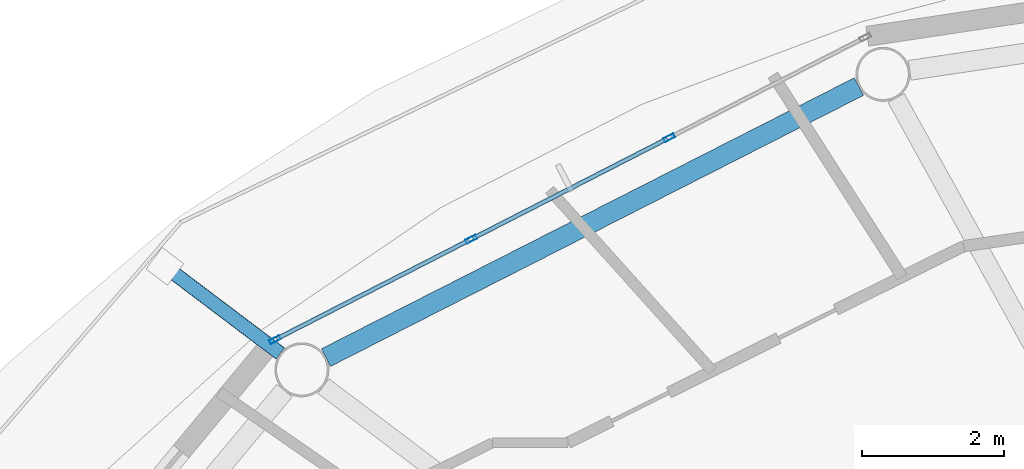
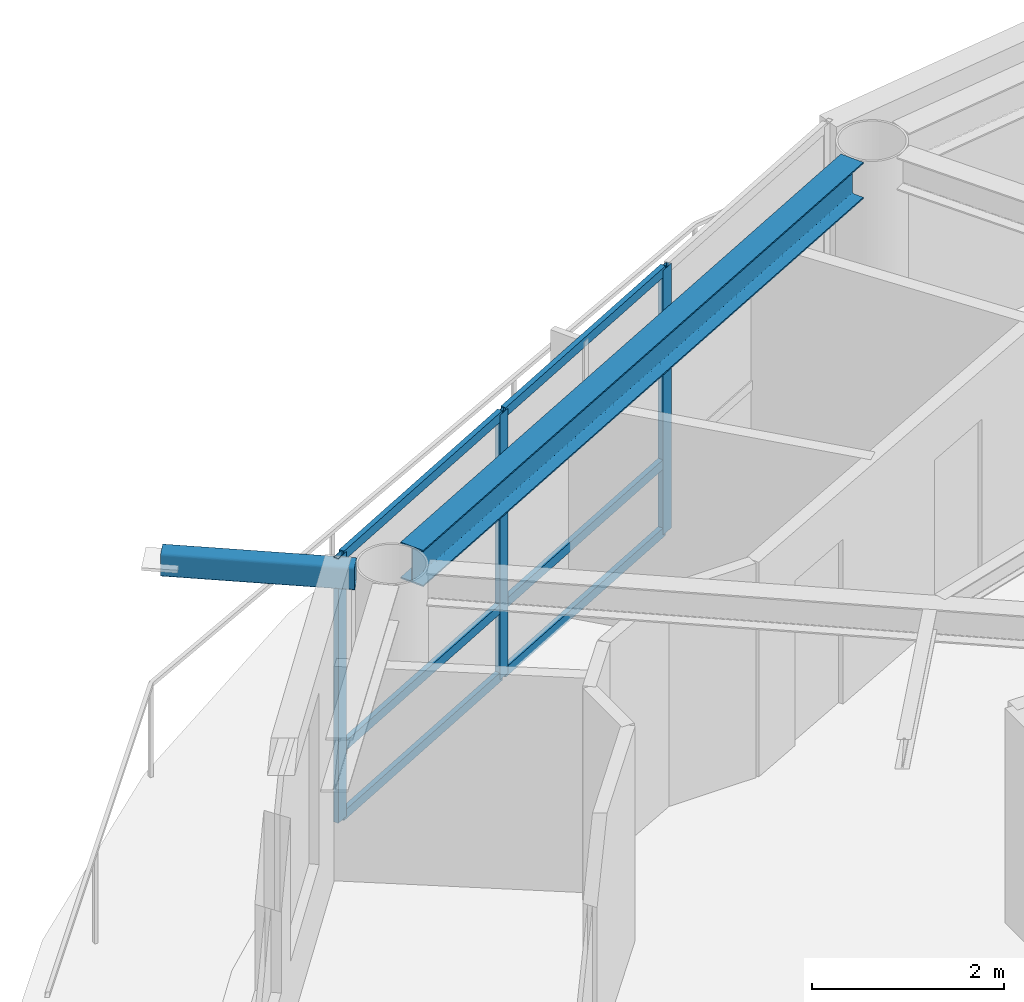
# One storey, part 8 of 22: 10 members, 1 beam, 1 element without a shape of its own.
"""IFC4 building model written with IfcOpenShell, lengths in metres."""

from ifc_helpers import new_model, si_unit, direction, frame, origin, origin_2d, place, context, subcontext, project, spatial, hollow_rectangle, i_section, extrude, material, layer, layer_set, material_profile, profile_set, type_object, element, aggregate, save


model = new_model("IFC4")

# Units and contexts
model_context = context("Model", 3, precision=1e-05, world=origin(), true_north=direction((0.0, 1.0)))
body_context = subcontext(model_context, "Body", "Model", "MODEL_VIEW")
ifc_project = project(units=[si_unit("LENGTHUNIT", "METRE"), si_unit("AREAUNIT", "SQUARE_METRE"), si_unit("VOLUMEUNIT", "CUBIC_METRE"), si_unit("PLANEANGLEUNIT", "RADIAN"), si_unit("MASSUNIT", "GRAM", prefix="KILO")], contexts=[model_context])

# Site, building, storey
site_placement = place(None, origin())
site = spatial("IfcSite", under=ifc_project, at=site_placement, CompositionType="ELEMENT")
building_placement = place(site_placement, origin())
building = spatial("IfcBuilding", under=site, at=building_placement, Name="Sarneth Arch Tower", CompositionType="ELEMENT")
storey_placement = place(building_placement, frame((0.0, 0.0, 287.39990234375)))
storey = spatial("IfcBuildingStorey", under=building, at=storey_placement, Name="L74", CompositionType="ELEMENT", Elevation=287.39990234375)

# Beam
ifc_material_1 = material(Name="Steel S355", Category="steel")
ifc_material_profile_1 = material_profile(ifc_material_1, i_section(OverallWidth=0.280029296875, OverallDepth=0.462890625, WebThickness=0.0107421875, FlangeThickness=0.017333984375, FilletRadius=0.01806640625, at=origin_2d()), Name="W460x113")
ifc_profile_set_1 = profile_set([ifc_material_profile_1], Name="Steel S355")
beam_type = type_object("IfcBeamType", Name="BM-RAD-460A", PredefinedType="BEAM", material=ifc_profile_set_1)
beam_placement = place(storey_placement, frame((37.86962890625, 59.565673828125, 3.138671875), z_axis=(-0.891373613492, -0.453269325204, 0.0), x_axis=(0.453269325204, -0.891373613492, 0.0)))
element("IfcBeam", 1, at=beam_placement, inside=storey, type_object=beam_type, Name="L74 Perimeter spandrel beam 06", PredefinedType="BEAM", context=body_context, shape_type="SweptSolid", body=[
    extrude(i_section(OverallWidth=0.280029296875, OverallDepth=0.462890625, WebThickness=0.0107421875, FlangeThickness=0.017333984375, FilletRadius=0.01806640625, at=origin_2d()), origin(), (0.0, 0.0, 1.0), 8.419677734375),
])

# Curtain wall, members
ifc_material_2 = material(Name="Anodised aluminium Type AA25 and solar-control low-e laminated IGU", Category="aluminium")
ifc_layer = layer(ifc_material_2, 0.179931640625)
ifc_layer_set = layer_set([ifc_layer], Name="Anodised aluminium Type AA25 and solar-control low-e laminated IGU")
curtain_wall_type = type_object("IfcCurtainWallType", Name="CW-RES-HIGH", PredefinedType="NOTDEFINED", material=ifc_layer_set)
curtain_wall_placement = place(storey_placement, origin())
curtain_wall = element("IfcCurtainWall", 2, at=curtain_wall_placement, inside=storey, type_object=curtain_wall_type, Name="L74 Unitised curtain wall facet 06", PredefinedType="NOTDEFINED")
ifc_material_3 = material(Name="Anodised Aluminium 6063-T6", Category="aluminium")
ifc_material_profile_2 = material_profile(ifc_material_3, hollow_rectangle(XDim=0.06005859375, YDim=0.159912109375, WallThickness=0.00390625, at=origin_2d()), Name="AL-MULL-160x60x4")
ifc_profile_set_2 = profile_set([ifc_material_profile_2], Name="Anodised Aluminium 6063-T6")
member_type_1 = type_object("IfcMemberType", Name="CW-MULLION", PredefinedType="MULLION", material=ifc_profile_set_2)
member_1_placement = place(storey_placement, frame((35.197509765625, 58.844970703125, 0.0), z_axis=(0.0, 0.0, 1.0), x_axis=(0.455941901753, -0.890009540525, 0.0)))
member_1 = element("IfcMember", 3, at=member_1_placement, type_object=member_type_1, Name="CW-SYS-6 mullion 2", PredefinedType="MULLION", context=body_context, shape_type="SweptSolid", body=[
    extrude(hollow_rectangle(XDim=0.06005859375, YDim=0.159912109375, WallThickness=0.00390625, at=origin_2d()), origin(), (0.0, 0.0, 1.0), 3.3701171875),
])
member_2_placement = place(storey_placement, frame((32.407470703125, 57.415771484375, 0.0), z_axis=(0.0, 0.0, 1.0), x_axis=(0.455941901753, -0.890009540525, 0.0)))
member_2 = element("IfcMember", 4, at=member_2_placement, type_object=member_type_1, Name="CW-SYS-6 mullion 3", PredefinedType="MULLION", context=body_context, shape_type="SweptSolid", body=[
    extrude(hollow_rectangle(XDim=0.06005859375, YDim=0.159912109375, WallThickness=0.00390625, at=origin_2d()), origin(), (0.0, 0.0, 1.0), 3.3701171875),
])
member_3_placement = place(storey_placement, frame((29.644287109375, 56.000244140625, 0.0), z_axis=(0.0, 0.0, 1.0), x_axis=(0.455941901753, -0.890009540525, 0.0)))
member_3 = element("IfcMember", 5, at=member_3_placement, type_object=member_type_1, Name="CW-SYS-6 mullion 4", PredefinedType="MULLION", context=body_context, shape_type="SweptSolid", body=[
    extrude(hollow_rectangle(XDim=0.06005859375, YDim=0.159912109375, WallThickness=0.00390625, at=origin_2d()), origin(), (0.0, 0.0, 1.0), 3.3701171875),
])
ifc_material_4 = material(Name="Anodised Aluminium 6063-T6", Category="aluminium")
ifc_material_profile_3 = material_profile(ifc_material_4, hollow_rectangle(XDim=0.06005859375, YDim=0.1201171875, WallThickness=0.00390625, at=origin_2d()), Name="AL-TRAN-120x60x4")
ifc_profile_set_3 = profile_set([ifc_material_profile_3], Name="Anodised Aluminium 6063-T6")
member_type_2 = type_object("IfcMemberType", Name="CW-TRANSOM", PredefinedType="USERDEFINED", material=ifc_profile_set_3)
member_4_placement = place(storey_placement, frame((35.170654296875, 58.831298828125, 0.030029296875), z_axis=(-0.890017432405, -0.455926496286, 0.0), x_axis=(0.455926496286, -0.890017432405, 0.0)))
member_4 = element("IfcMember", 6, at=member_4_placement, type_object=member_type_2, Name="CW-SYS-6 transom 2.1", ObjectType="TRANSOM", PredefinedType="USERDEFINED", context=body_context, shape_type="SweptSolid", body=[
    extrude(hollow_rectangle(XDim=0.06005859375, YDim=0.1201171875, WallThickness=0.00390625, at=origin_2d()), origin(), (0.0, 0.0, 1.0), 3.07470703125),
])
member_5_placement = place(storey_placement, frame((35.170654296875, 58.831298828125, 0.900146484375), z_axis=(-0.890017432405, -0.455926496286, 0.0), x_axis=(0.455926496286, -0.890017432405, 0.0)))
member_5 = element("IfcMember", 7, at=member_5_placement, type_object=member_type_2, Name="CW-SYS-6 transom 2.2", ObjectType="TRANSOM", PredefinedType="USERDEFINED", context=body_context, shape_type="SweptSolid", body=[
    extrude(hollow_rectangle(XDim=0.06005859375, YDim=0.1201171875, WallThickness=0.00390625, at=origin_2d()), origin(), (0.0, 0.0, 1.0), 3.07470703125),
])
member_6_placement = place(storey_placement, frame((35.170654296875, 58.831298828125, 3.340087890625), z_axis=(-0.890017432405, -0.455926496286, 0.0), x_axis=(0.455926496286, -0.890017432405, 0.0)))
member_6 = element("IfcMember", 8, at=member_6_placement, type_object=member_type_2, Name="CW-SYS-6 transom 2.3", ObjectType="TRANSOM", PredefinedType="USERDEFINED", context=body_context, shape_type="SweptSolid", body=[
    extrude(hollow_rectangle(XDim=0.06005859375, YDim=0.1201171875, WallThickness=0.00390625, at=origin_2d()), origin(), (0.0, 0.0, 1.0), 3.07470703125),
])
member_7_placement = place(storey_placement, frame((32.380859375, 57.402099609375, 0.030029296875), z_axis=(-0.890022732705, -0.455916149384, 0.0), x_axis=(0.455916149384, -0.890022732705, 0.0)))
member_7 = element("IfcMember", 9, at=member_7_placement, type_object=member_type_2, Name="CW-SYS-6 transom 3.1", ObjectType="TRANSOM", PredefinedType="USERDEFINED", context=body_context, shape_type="SweptSolid", body=[
    extrude(hollow_rectangle(XDim=0.06005859375, YDim=0.1201171875, WallThickness=0.00390625, at=origin_2d()), origin(), (0.0, 0.0, 1.0), 3.044921875),
])
member_8_placement = place(storey_placement, frame((32.380859375, 57.402099609375, 0.900146484375), z_axis=(-0.890022732705, -0.455916149384, 0.0), x_axis=(0.455916149384, -0.890022732705, 0.0)))
member_8 = element("IfcMember", 10, at=member_8_placement, type_object=member_type_2, Name="CW-SYS-6 transom 3.2", ObjectType="TRANSOM", PredefinedType="USERDEFINED", context=body_context, shape_type="SweptSolid", body=[
    extrude(hollow_rectangle(XDim=0.06005859375, YDim=0.1201171875, WallThickness=0.00390625, at=origin_2d()), origin(), (0.0, 0.0, 1.0), 3.044921875),
])
member_9_placement = place(storey_placement, frame((32.380859375, 57.402099609375, 3.340087890625), z_axis=(-0.890022732705, -0.455916149384, 0.0), x_axis=(0.455916149384, -0.890022732705, 0.0)))
member_9 = element("IfcMember", 11, at=member_9_placement, type_object=member_type_2, Name="CW-SYS-6 transom 3.3", ObjectType="TRANSOM", PredefinedType="USERDEFINED", context=body_context, shape_type="SweptSolid", body=[
    extrude(hollow_rectangle(XDim=0.06005859375, YDim=0.1201171875, WallThickness=0.00390625, at=origin_2d()), origin(), (0.0, 0.0, 1.0), 3.044921875),
])
aggregate(curtain_wall, [member_1, member_2, member_3, member_4, member_5, member_6, member_7, member_8, member_9])

# Member
ifc_material_5 = material(Name="Steel S355", Category="steel")
ifc_material_profile_4 = material_profile(ifc_material_5, hollow_rectangle(XDim=0.199951171875, YDim=0.300048828125, WallThickness=0.012451171875, InnerFilletRadius=0.018798828125, OuterFilletRadius=0.03125, at=origin_2d()), Name="RHS300x200x12.5")
ifc_profile_set_4 = profile_set([ifc_material_profile_4], Name="Steel S355")
member_type_3 = type_object("IfcMemberType", Name="MEM-CANT-STRUT", PredefinedType="STRUT", material=ifc_profile_set_4)
member_10_placement = place(storey_placement, frame((29.720703125, 55.80615234375, 3.210205078125), z_axis=(-0.797968467988, 0.602699198686, 0.0), x_axis=(-0.602699198686, -0.797968467988, 0.0)))
element("IfcMember", 12, at=member_10_placement, inside=storey, type_object=member_type_3, Name="L74 Balcony cantilever bracket 07", PredefinedType="STRUT", context=body_context, shape_type="SweptSolid", body=[
    extrude(hollow_rectangle(XDim=0.199951171875, YDim=0.300048828125, WallThickness=0.012451171875, InnerFilletRadius=0.018798828125, OuterFilletRadius=0.03125, at=origin_2d()), origin(), (0.0, 0.0, 1.0), 2.037841796875),
])

save(model, "model.ifc")
